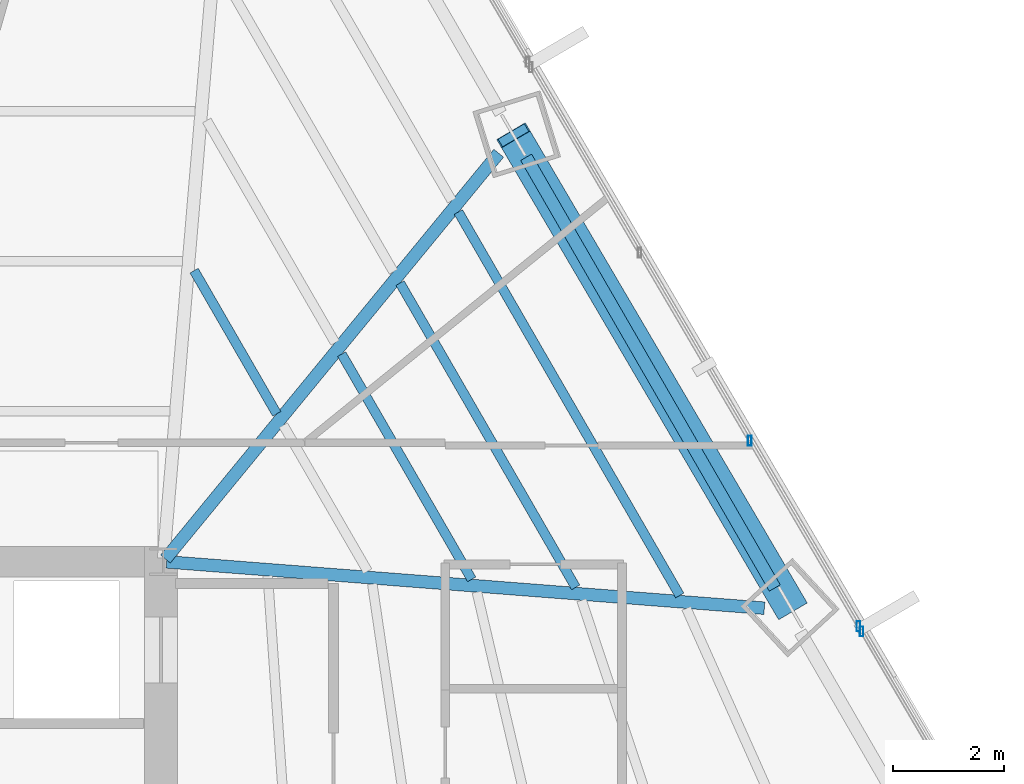
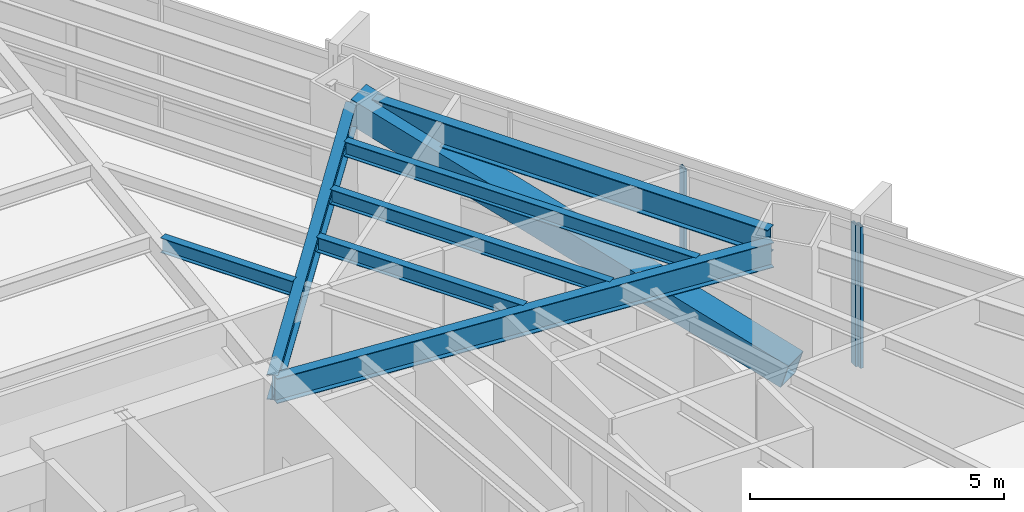
# One storey, part 19 of 33: 7 beams, 4 members, 2 elements without a shape of their own.
"""IFC4 building model written with IfcOpenShell, lengths in metres."""

from ifc_helpers import new_model, si_unit, direction, frame, origin, origin_2d, place, context, subcontext, project, spatial, hollow_rectangle, i_section, extrude, source, transform, mapped, material, material_profile, profile_set, type_object, type_shapes, element, aggregate, save


model = new_model("IFC4")

# Units and contexts
model_context = context("Model", 3, precision=1e-05, world=origin(), true_north=direction((0.0, 1.0)))
body_context = subcontext(model_context, "Body", "Model", "MODEL_VIEW")
ifc_project = project(units=[si_unit("LENGTHUNIT", "METRE"), si_unit("AREAUNIT", "SQUARE_METRE"), si_unit("VOLUMEUNIT", "CUBIC_METRE"), si_unit("PLANEANGLEUNIT", "RADIAN"), si_unit("MASSUNIT", "GRAM", prefix="KILO")], contexts=[model_context])

# Site, building, storey
site_placement = place(None, origin())
site = spatial("IfcSite", under=ifc_project, at=site_placement, CompositionType="ELEMENT")
building_placement = place(site_placement, origin())
building = spatial("IfcBuilding", under=site, at=building_placement, Name="Caelisora Broadcast Tower", CompositionType="ELEMENT")
storey_placement = place(building_placement, frame((0.0, 0.0, 42.199951171875)))
storey = spatial("IfcBuildingStorey", under=building, at=storey_placement, Name="L10", CompositionType="ELEMENT", Elevation=42.199951171875)

# Beams
ifc_material_1 = material(Name="Steel Grade 350 (AS/NZS 3679.1)", Category="steel")
ifc_material_profile_1 = material_profile(ifc_material_1, i_section(OverallWidth=0.22900390625, OverallDepth=0.611572265625, WebThickness=0.011962890625, FlangeThickness=0.01953125, at=origin_2d()), Name="Steel Grade 350 (AS/NZS 3679.1)")
ifc_profile_set_1 = profile_set([ifc_material_profile_1], Name="Steel Grade 350 (AS/NZS 3679.1)")
beam_type_1 = type_object("IfcBeamType", Name="PG03", PredefinedType="BEAM", material=ifc_profile_set_1)
shared_shape_1 = source(origin(), body_context, "Body", "SweptSolid", [
    extrude(i_section(OverallWidth=0.22900390625, OverallDepth=0.611572265625, WebThickness=0.011962890625, FlangeThickness=0.01953125, at=origin_2d()), origin(), (0.0, 0.0, 1.0), 8.998779296875),
])
type_shapes(beam_type_1, [shared_shape_1])
beam_1_placement = place(storey_placement, frame((56.564208984375, 29.522705078125, 3.09423828125), z_axis=(-0.499987833089, 0.86603242824, 0.0), x_axis=(-0.86603242824, -0.499987833089, 0.0)))
element("IfcBeam", 1, at=beam_1_placement, inside=storey, type_object=beam_type_1, Name="L10 beam PG03", PredefinedType="BEAM", context=body_context, shape_type="MappedRepresentation", body=[
    mapped(shared_shape_1, transform((0.0, 0.0, 0.0), scale=1.0)),
])
ifc_material_profile_2 = material_profile(ifc_material_1, i_section(OverallWidth=0.22802734375, OverallDepth=0.602294921875, WebThickness=0.010498046875, FlangeThickness=0.014892578125, at=origin_2d()), Name="Steel Grade 350 (AS/NZS 3679.1)")
ifc_profile_set_2 = profile_set([ifc_material_profile_2], Name="Steel Grade 350 (AS/NZS 3679.1)")
beam_type_2 = type_object("IfcBeamType", Name="PG04", PredefinedType="BEAM", material=ifc_profile_set_2)
shared_shape_2 = source(origin(), body_context, "Body", "SweptSolid", [
    extrude(i_section(OverallWidth=0.22802734375, OverallDepth=0.602294921875, WebThickness=0.010498046875, FlangeThickness=0.014892578125, at=origin_2d()), origin(), (0.0, 0.0, 1.0), 9.501953125),
])
beam_2_placement = place(storey_placement, frame((45.5380859375, 30.04638671875, 3.098876953125), z_axis=(0.634633120401, 0.772813562568, 0.0), x_axis=(-0.772813562568, 0.634633120401, 0.0)))
element("IfcBeam", 2, at=beam_2_placement, inside=storey, type_object=beam_type_2, Name="L10 beam PG04", PredefinedType="BEAM", context=body_context, shape_type="MappedRepresentation", body=[
    mapped(shared_shape_2, transform((0.0, 0.0, 0.0), scale=1.0)),
])
shared_shape_3 = source(origin(), body_context, "Body", "SweptSolid", [
    extrude(i_section(OverallWidth=0.22802734375, OverallDepth=0.602294921875, WebThickness=0.010498046875, FlangeThickness=0.014892578125, at=origin_2d()), origin(), (0.0, 0.0, 1.0), 10.84814453125),
])
type_shapes(beam_type_2, [shared_shape_2, shared_shape_3])
beam_3_placement = place(storey_placement, frame((45.559814453125, 29.995361328125, 3.098876953125), z_axis=(0.997007435387, -0.077305716362, 0.0), x_axis=(0.077305716362, 0.997007435387, 0.0)))
element("IfcBeam", 3, at=beam_3_placement, inside=storey, type_object=beam_type_2, Name="L10 beam PG04", PredefinedType="BEAM", context=body_context, shape_type="MappedRepresentation", body=[
    mapped(shared_shape_3, transform((0.0, 0.0, 0.0), scale=1.0)),
])
ifc_material_profile_3 = material_profile(ifc_material_1, i_section(OverallWidth=0.172119140625, OverallDepth=0.358642578125, WebThickness=0.008056640625, FlangeThickness=0.012939453125, at=origin_2d()), Name="Steel Grade 350 (AS/NZS 3679.1)")
ifc_profile_set_3 = profile_set([ifc_material_profile_3], Name="Steel Grade 350 (AS/NZS 3679.1)")
beam_type_3 = type_object("IfcBeamType", Name="SB02", PredefinedType="JOIST", material=ifc_profile_set_3)
shared_shape_4 = source(origin(), body_context, "Body", "SweptSolid", [
    extrude(i_section(OverallWidth=0.172119140625, OverallDepth=0.358642578125, WebThickness=0.008056640625, FlangeThickness=0.012939453125, at=origin_2d()), origin(), (0.0, 0.0, 1.0), 2.99072265625),
])
beam_4_placement = place(storey_placement, frame((47.55224609375, 32.67431640625, 3.220703125), z_axis=(-0.499993326248, 0.866029256843, 0.0), x_axis=(-0.866029256843, -0.499993326248, 0.0)))
element("IfcBeam", 4, at=beam_4_placement, inside=storey, type_object=beam_type_3, Name="L10 beam SB02", PredefinedType="JOIST", context=body_context, shape_type="MappedRepresentation", body=[
    mapped(shared_shape_4, transform((0.0, 0.0, 0.0), scale=1.0)),
])
shared_shape_5 = source(origin(), body_context, "Body", "SweptSolid", [
    extrude(i_section(OverallWidth=0.172119140625, OverallDepth=0.358642578125, WebThickness=0.008056640625, FlangeThickness=0.012939453125, at=origin_2d()), origin(), (0.0, 0.0, 1.0), 4.705322265625),
])
beam_5_placement = place(storey_placement, frame((51.07958984375, 29.67919921875, 3.220703125), z_axis=(-0.500017381053, 0.866015368596, 0.0), x_axis=(-0.866015368596, -0.500017381053, 0.0)))
element("IfcBeam", 5, at=beam_5_placement, inside=storey, type_object=beam_type_3, Name="L10 beam SB02", PredefinedType="JOIST", context=body_context, shape_type="MappedRepresentation", body=[
    mapped(shared_shape_5, transform((0.0, 0.0, 0.0), scale=1.0)),
])
shared_shape_6 = source(origin(), body_context, "Body", "SweptSolid", [
    extrude(i_section(OverallWidth=0.172119140625, OverallDepth=0.358642578125, WebThickness=0.008056640625, FlangeThickness=0.012939453125, at=origin_2d()), origin(), (0.0, 0.0, 1.0), 6.3583984375),
])
beam_6_placement = place(storey_placement, frame((52.9619140625, 29.533203125, 3.220703125), z_axis=(-0.499996103113, 0.866027653641, 0.0), x_axis=(-0.866027653641, -0.499996103113, 0.0)))
element("IfcBeam", 6, at=beam_6_placement, inside=storey, type_object=beam_type_3, Name="L10 beam SB02", PredefinedType="JOIST", context=body_context, shape_type="MappedRepresentation", body=[
    mapped(shared_shape_6, transform((0.0, 0.0, 0.0), scale=1.0)),
])
shared_shape_7 = source(origin(), body_context, "Body", "SweptSolid", [
    extrude(i_section(OverallWidth=0.172119140625, OverallDepth=0.358642578125, WebThickness=0.008056640625, FlangeThickness=0.012939453125, at=origin_2d()), origin(), (0.0, 0.0, 1.0), 8.01171875),
])
type_shapes(beam_type_3, [shared_shape_4, shared_shape_5, shared_shape_6, shared_shape_7])
beam_7_placement = place(storey_placement, frame((54.84423828125, 29.38720703125, 3.220703125), z_axis=(-0.499993265928, 0.866029291668, 0.0), x_axis=(-0.866029291668, -0.499993265928, 0.0)))
element("IfcBeam", 7, at=beam_7_placement, inside=storey, type_object=beam_type_3, Name="L10 beam SB02", PredefinedType="JOIST", context=body_context, shape_type="MappedRepresentation", body=[
    mapped(shared_shape_7, transform((0.0, 0.0, 0.0), scale=1.0)),
])

# Member
ifc_material_2 = material(Name="Steel Grade 450 L15 (AS/NZS 3678)", Category="steel")
ifc_material_profile_4 = material_profile(ifc_material_2, hollow_rectangle(XDim=0.60009765625, YDim=0.60009765625, WallThickness=0.02490234375, at=origin_2d()), Name="Steel Grade 450 L15 (AS/NZS 3678)")
ifc_profile_set_4 = profile_set([ifc_material_profile_4], Name="Steel Grade 450 L15 (AS/NZS 3678)")
member_type_1 = type_object("IfcMemberType", Name="BR01", PredefinedType="BRACE", material=ifc_profile_set_4)
shared_shape_8 = source(origin(), body_context, "Body", "SweptSolid", [
    extrude(hollow_rectangle(XDim=0.60009765625, YDim=0.60009765625, WallThickness=0.02490234375, at=origin_2d()), origin(), (0.0, 0.0, 1.0), 10.346923828125),
])
type_shapes(member_type_1, [shared_shape_8])
member_1_placement = place(storey_placement, frame((56.8486328125, 29.174560546875, 0.10009765625), z_axis=(-0.484552231753, 0.825314957259, 0.289938538361), x_axis=(-0.862357283733, -0.50630022239, 0.0)))
element("IfcMember", 8, at=member_1_placement, inside=storey, type_object=member_type_1, Name="L10 perimeter brace BR01", PredefinedType="BRACE", context=body_context, shape_type="MappedRepresentation", body=[
    mapped(shared_shape_8, transform((0.0, 0.0, 0.0), scale=1.0)),
])

# Curtain wall, members
ifc_material_3 = material(Name="Unitised Aluminium Insulated Shadow-Box Spandrel Curtain Wall", Category="aluminium")
curtain_wall_type_1 = type_object("IfcCurtainWallType", Name="CW-SP1", PredefinedType="NOTDEFINED", material=ifc_material_3)
curtain_wall_1_placement = place(storey_placement, origin())
curtain_wall_1 = element("IfcCurtainWall", 9, at=curtain_wall_1_placement, inside=storey, type_object=curtain_wall_type_1, Name="L10 curtain wall CW-SP1", PredefinedType="NOTDEFINED")
ifc_material_4 = material(Name="Aluminium 6063-T6 Anodised Terracotta Bronze", Category="aluminium")
ifc_material_profile_5 = material_profile(ifc_material_4, hollow_rectangle(XDim=0.06494140625, YDim=0.179931640625, WallThickness=0.00341796875, at=origin_2d()), Name="Aluminium 6063-T6 Anodised Terracotta Bronze")
ifc_profile_set_5 = profile_set([ifc_material_profile_5], Name="Aluminium 6063-T6 Anodised Terracotta Bronze")
member_type_2 = type_object("IfcMemberType", Name="CWM-02", PredefinedType="MULLION", material=ifc_profile_set_5)
shared_shape_9 = source(origin(), body_context, "Body", "SweptSolid", [
    extrude(hollow_rectangle(XDim=0.06494140625, YDim=0.179931640625, WallThickness=0.00341796875, at=origin_2d()), origin(), (0.0, 0.0, 1.0), 3.400146484375),
])
type_shapes(member_type_2, [shared_shape_9])
member_2_placement = place(storey_placement, frame((56.111572265625, 32.1875, 0.0), z_axis=(0.0, 0.0, 1.0), x_axis=(1.0, 0.0, 0.0)))
member_2 = element("IfcMember", 10, at=member_2_placement, type_object=member_type_2, Name="L10-CW-B02 mullion #2", PredefinedType="MULLION", context=body_context, shape_type="MappedRepresentation", body=[
    mapped(shared_shape_9, transform((0.0, 0.0, 0.0), scale=1.0)),
])
member_3_placement = place(storey_placement, frame((58.079833984375, 28.829833984375, 0.0), z_axis=(0.0, 0.0, 1.0), x_axis=(1.0, 0.0, 0.0)))
member_3 = element("IfcMember", 11, at=member_3_placement, type_object=member_type_2, Name="L10-CW-B02 mullion #3", PredefinedType="MULLION", context=body_context, shape_type="MappedRepresentation", body=[
    mapped(shared_shape_9, transform((0.0, 0.0, 0.0), scale=1.0)),
])
aggregate(curtain_wall_1, [member_2, member_3])

# Curtain wall, member
ifc_material_5 = material(Name="Unitised Aluminium and Low-E Glass Curtain Wall", Category="glass")
curtain_wall_type_2 = type_object("IfcCurtainWallType", Name="CW-Z1", PredefinedType="NOTDEFINED", material=ifc_material_5)
curtain_wall_2_placement = place(storey_placement, origin())
curtain_wall_2 = element("IfcCurtainWall", 12, at=curtain_wall_2_placement, inside=storey, type_object=curtain_wall_type_2, Name="L10 curtain wall CW-Z1", PredefinedType="NOTDEFINED")
member_4_placement = place(storey_placement, frame((58.135498046875, 28.73486328125, 0.0), z_axis=(0.0, 0.0, 1.0), x_axis=(1.0, 0.0, 0.0)))
member_4 = element("IfcMember", 13, at=member_4_placement, type_object=member_type_2, Name="L10-CW-B03 mullion #0", PredefinedType="MULLION", context=body_context, shape_type="MappedRepresentation", body=[
    mapped(shared_shape_9, transform((0.0, 0.0, 0.0), scale=1.0)),
])
aggregate(curtain_wall_2, [member_4])

save(model, "model.ifc")
